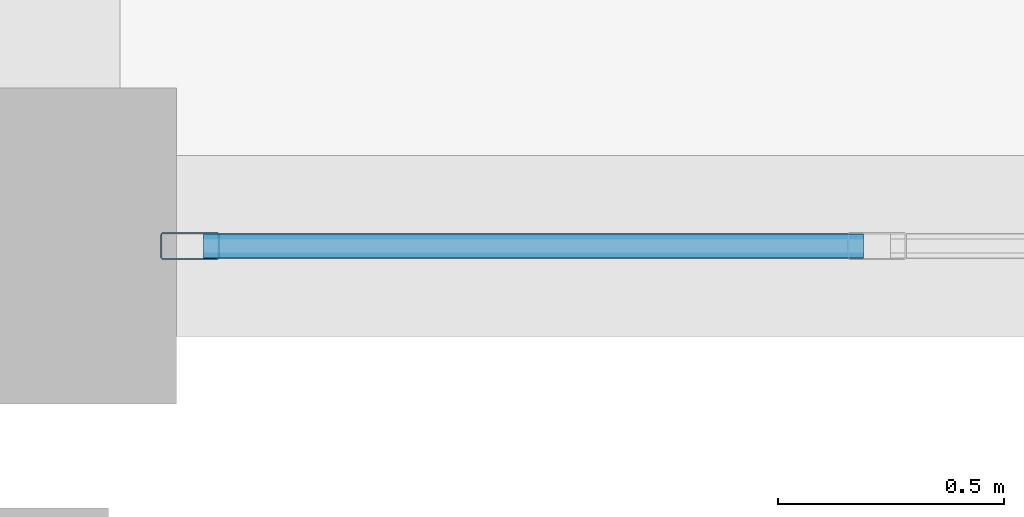
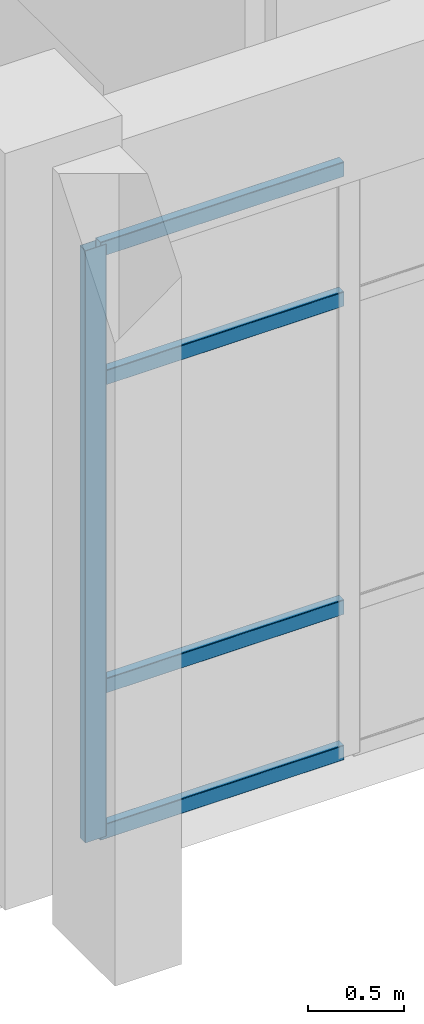
# One storey, part 26 of 98: 5 members, 1 element without a shape of its own.
"""IFC4 building model written with IfcOpenShell, lengths in metres."""

from ifc_helpers import new_model, si_unit, direction, frame, origin, origin_2d, place, context, subcontext, project, spatial, hollow_rectangle, extrude, material, material_profile, profile_set, type_object, element, aggregate, save


model = new_model("IFC4")

# Units and contexts
model_context = context("Model", 3, precision=1e-05, world=origin(), true_north=direction((0.0, 1.0)))
body_context = subcontext(model_context, "Body", "Model", "MODEL_VIEW")
ifc_project = project(units=[si_unit("LENGTHUNIT", "METRE"), si_unit("AREAUNIT", "SQUARE_METRE"), si_unit("VOLUMEUNIT", "CUBIC_METRE"), si_unit("PLANEANGLEUNIT", "RADIAN"), si_unit("MASSUNIT", "GRAM", prefix="KILO")], contexts=[model_context])

# Site, building, storey
site_placement = place(None, origin())
site = spatial("IfcSite", under=ifc_project, at=site_placement, CompositionType="ELEMENT")
building_placement = place(site_placement, origin())
building = spatial("IfcBuilding", under=site, at=building_placement, Name="Canglan Escarpment Cableway Terminal", CompositionType="ELEMENT")
storey_placement = place(building_placement, frame((0.0, 0.0, 9.60009765625)))
storey = spatial("IfcBuildingStorey", under=building, at=storey_placement, Name="L02", CompositionType="ELEMENT", Elevation=9.60009765625)

# Curtain wall, members
ifc_material_1 = material(Name="Anodized bronze aluminium and Low-E double glazing", Category="aluminium")
curtain_wall_type = type_object("IfcCurtainWallType", Name="CW-BAY-7750x3750", PredefinedType="NOTDEFINED", material=ifc_material_1)
curtain_wall_placement = place(storey_placement, origin())
curtain_wall = element("IfcCurtainWall", 1, at=curtain_wall_placement, inside=storey, type_object=curtain_wall_type, Name="Classical bay-between-piers glazed curtain wall CW-07", PredefinedType="NOTDEFINED")
ifc_material_2 = material(Name="Thermally broken anodized aluminium 6063-T6", Category="aluminium")
ifc_material_profile_1 = material_profile(ifc_material_2, hollow_rectangle(XDim=0.06005859375, YDim=0.1298828125, WallThickness=0.0029296875, InnerFilletRadius=0.0029296875, OuterFilletRadius=0.006103515625, at=origin_2d()), Name="ALU-MULL 60x130x3")
ifc_profile_set_1 = profile_set([ifc_material_profile_1], Name="Thermally broken anodized aluminium 6063-T6")
member_type_1 = type_object("IfcMemberType", Name="CWM-01", PredefinedType="MULLION", material=ifc_profile_set_1)
member_1_placement = place(storey_placement, frame((120.280029296875, 8.0, 0.0), z_axis=(0.0, 0.0, 1.0), x_axis=(0.0, 1.0, 0.0)))
member_1 = element("IfcMember", 2, at=member_1_placement, type_object=member_type_1, Name="CW-07 mullion 1", PredefinedType="MULLION", context=body_context, shape_type="SweptSolid", body=[
    extrude(hollow_rectangle(XDim=0.06005859375, YDim=0.1298828125, WallThickness=0.0029296875, InnerFilletRadius=0.0029296875, OuterFilletRadius=0.006103515625, at=origin_2d()), origin(), (0.0, 0.0, 1.0), 3.7548828125),
])
ifc_material_profile_2 = material_profile(ifc_material_2, hollow_rectangle(XDim=0.054931640625, YDim=0.094970703125, WallThickness=0.0029296875, InnerFilletRadius=0.0029296875, OuterFilletRadius=0.006103515625, at=origin_2d()), Name="ALU-TRAN 55x95x3")
ifc_profile_set_2 = profile_set([ifc_material_profile_2], Name="Thermally broken anodized aluminium 6063-T6")
member_type_2 = type_object("IfcMemberType", Name="CWT-01", PredefinedType="USERDEFINED", material=ifc_profile_set_2)
member_2_placement = place(storey_placement, frame((120.31005859375, 8.0, 0.02734375), z_axis=(1.0, 0.0, 0.0), x_axis=(0.0, 1.0, 0.0)))
member_2 = element("IfcMember", 3, at=member_2_placement, type_object=member_type_2, Name="CW-07 transom 1.1", ObjectType="TRANSOM", PredefinedType="USERDEFINED", context=body_context, shape_type="SweptSolid", body=[
    extrude(hollow_rectangle(XDim=0.054931640625, YDim=0.094970703125, WallThickness=0.0029296875, InnerFilletRadius=0.0029296875, OuterFilletRadius=0.006103515625, at=origin_2d()), origin(), (0.0, 0.0, 1.0), 1.4599609375),
])
member_3_placement = place(storey_placement, frame((120.31005859375, 8.0, 0.949951171875), z_axis=(1.0, 0.0, 0.0), x_axis=(0.0, 1.0, 0.0)))
member_3 = element("IfcMember", 4, at=member_3_placement, type_object=member_type_2, Name="CW-07 transom 1.2", ObjectType="TRANSOM", PredefinedType="USERDEFINED", context=body_context, shape_type="SweptSolid", body=[
    extrude(hollow_rectangle(XDim=0.054931640625, YDim=0.094970703125, WallThickness=0.0029296875, InnerFilletRadius=0.0029296875, OuterFilletRadius=0.006103515625, at=origin_2d()), origin(), (0.0, 0.0, 1.0), 1.4599609375),
])
member_4_placement = place(storey_placement, frame((120.31005859375, 8.0, 2.90478515625), z_axis=(1.0, 0.0, 0.0), x_axis=(0.0, 1.0, 0.0)))
member_4 = element("IfcMember", 5, at=member_4_placement, type_object=member_type_2, Name="CW-07 transom 1.3", ObjectType="TRANSOM", PredefinedType="USERDEFINED", context=body_context, shape_type="SweptSolid", body=[
    extrude(hollow_rectangle(XDim=0.054931640625, YDim=0.094970703125, WallThickness=0.0029296875, InnerFilletRadius=0.0029296875, OuterFilletRadius=0.006103515625, at=origin_2d()), origin(), (0.0, 0.0, 1.0), 1.4599609375),
])
member_5_placement = place(storey_placement, frame((120.31005859375, 8.0, 3.727294921875), z_axis=(1.0, 0.0, 0.0), x_axis=(0.0, 1.0, 0.0)))
member_5 = element("IfcMember", 6, at=member_5_placement, type_object=member_type_2, Name="CW-07 transom 1.4", ObjectType="TRANSOM", PredefinedType="USERDEFINED", context=body_context, shape_type="SweptSolid", body=[
    extrude(hollow_rectangle(XDim=0.054931640625, YDim=0.094970703125, WallThickness=0.0029296875, InnerFilletRadius=0.0029296875, OuterFilletRadius=0.006103515625, at=origin_2d()), origin(), (0.0, 0.0, 1.0), 1.4599609375),
])
aggregate(curtain_wall, [member_1, member_2, member_3, member_4, member_5])

save(model, "model.ifc")
